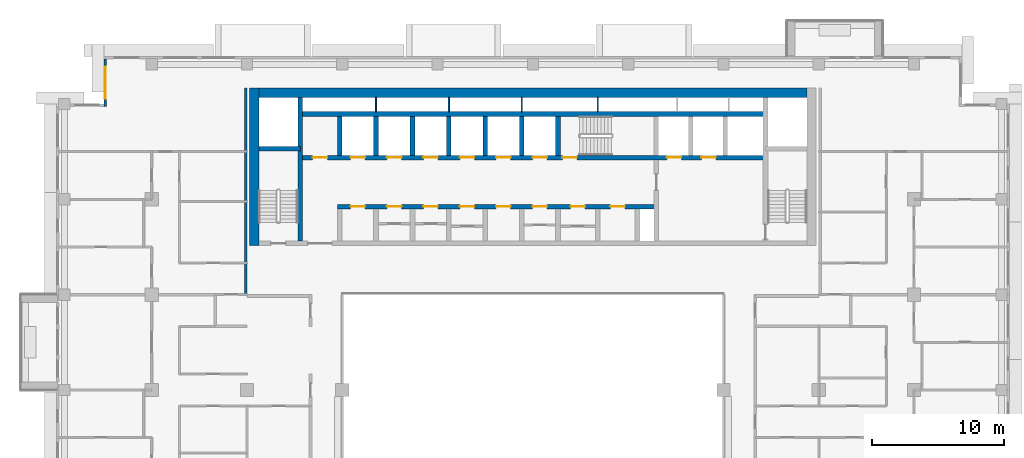
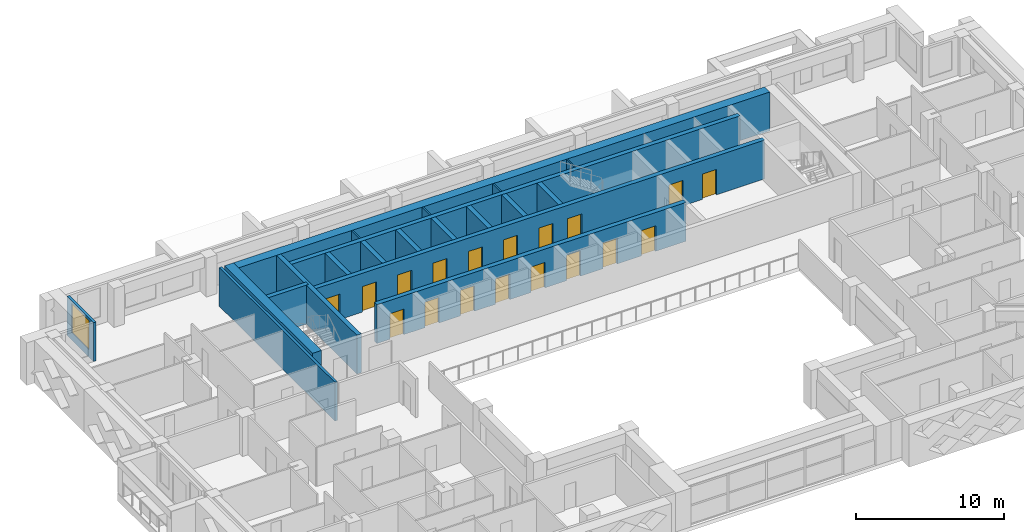
# One storey, part 10 of 20: 20 walls, 18 doors, 1 window, 19 openings.
"""IFC4 building model written with IfcOpenShell, lengths in metres."""

from ifc_helpers import new_model, si_unit, direction, frame, frame_2d, origin, place, context, subcontext, project, spatial, rectangle, extrude, material, layer, layer_set, type_object, element, fill, save


model = new_model("IFC4")

# Units and contexts
model_context = context("Model", 3, precision=1e-05, world=origin(), true_north=direction((0.0, 1.0)))
body_context = subcontext(model_context, "Body", "Model", "MODEL_VIEW")
ifc_project = project(units=[si_unit("LENGTHUNIT", "METRE"), si_unit("AREAUNIT", "SQUARE_METRE"), si_unit("VOLUMEUNIT", "CUBIC_METRE"), si_unit("PLANEANGLEUNIT", "RADIAN"), si_unit("MASSUNIT", "GRAM", prefix="KILO")], contexts=[model_context])

# Site, building, storey
site_placement = place(None, origin())
site = spatial("IfcSite", under=ifc_project, at=site_placement, CompositionType="ELEMENT")
building_placement = place(site_placement, origin())
building = spatial("IfcBuilding", under=site, at=building_placement, Name="Saffron Iwan Residences", CompositionType="ELEMENT")
storey_placement = place(building_placement, frame((0.0, 0.0, 164.0)))
storey = spatial("IfcBuildingStorey", under=building, at=storey_placement, Name="L43", CompositionType="ELEMENT", Elevation=164.0)

# Wall, opening, window
ifc_material_1 = material(Name="Concrete C40/50", Category="concrete")
ifc_layer_1 = layer(ifc_material_1, 0.199951171875)
ifc_layer_set_1 = layer_set([ifc_layer_1], Name="Concrete C40/50")
wall_type_1 = type_object("IfcWallType", Name="EXTERNAL WALL 200", PredefinedType="SOLIDWALL", material=ifc_layer_set_1)
wall_1_placement = place(storey_placement, frame((18.10009765625, 80.199951171875, 0.0), z_axis=(0.0, 0.0, 1.0), x_axis=(0.0, -1.0, 0.0)))
wall_1 = element("IfcWall", 1, at=wall_1_placement, inside=storey, type_object=wall_type_1, Name="External wall L43 F6.0", PredefinedType="SOLIDWALL", context=body_context, shape_type="SweptSolid", body=[
    extrude(rectangle(XDim=3.599853515625, YDim=0.199951171875, at=frame_2d((1.7998046875, 0.0))), origin(), (0.0, 0.0, 1.0), 3.199951171875),
])
opening_1_placement = place(wall_1_placement, frame((0.60009765625, 0.0, 0.60009765625)))
opening_1 = element("IfcOpeningElement", 2, at=opening_1_placement, cuts=wall_1, Name="Opening W1", PredefinedType="OPENING", context=body_context, shape_type="SweptSolid", body=[
    extrude(rectangle(XDim=2.39990234375, YDim=2.39990234375, at=frame_2d((1.199951171875, 1.199951171875))), frame((0.0, 0.10986328125, 0.0), z_axis=(0.0, -1.0, 0.0), x_axis=(1.0, 0.0, 0.0)), (0.0, 0.0, 1.0), 0.219970703125),
])
ifc_material_2 = material(Name="Clear glass, laminated double glazed", Category="glass")
window_type = type_object("IfcWindowType", Name="WINDOW 2400 x 2400", PartitioningType="DOUBLE_PANEL_VERTICAL", PredefinedType="WINDOW", material=ifc_material_2)
window_placement = place(opening_1_placement, origin())
window = element("IfcWindow", 3, at=window_placement, inside=storey, type_object=window_type, Name="Window L43 F6.0", OverallHeight=2.39990234375, OverallWidth=2.39990234375, PartitioningType="DOUBLE_PANEL_VERTICAL", PredefinedType="WINDOW", context=body_context, shape_type="SweptSolid", body=[
    extrude(rectangle(XDim=2.39990234375, YDim=2.39990234375, at=frame_2d((1.199951171875, 1.199951171875))), frame((0.0, 0.030029296875, 0.0), z_axis=(0.0, -1.0, 0.0), x_axis=(1.0, 0.0, 0.0)), (0.0, 0.0, 1.0), 0.06005859375),
])
fill(opening_1, window)

# Walls
ifc_material_3 = material(Name="Fire-rated gypsum board wall")
ifc_layer_2 = layer(ifc_material_3, 0.199951171875)
ifc_layer_set_2 = layer_set([ifc_layer_2], Name="Fire-rated gypsum board wall")
wall_type_2 = type_object("IfcWallType", Name="Gallery wall 200", PredefinedType="SOLIDWALL", material=ifc_layer_set_2)
wall_2_placement = place(storey_placement, frame((28.699951171875, 62.39990234375, 0.0), z_axis=(0.0, 0.0, 1.0), x_axis=(0.0, 1.0, 0.0)))
element("IfcWall", 4, at=wall_2_placement, inside=storey, type_object=wall_type_2, Name="W-L43-CORR-v28.8-62.4", PredefinedType="SOLIDWALL", context=body_context, shape_type="SweptSolid", body=[
    extrude(rectangle(XDim=15.60009765625, YDim=0.199951171875, at=frame_2d((7.800048828125, 0.0))), origin(), (0.0, 0.0, 1.0), 3.199951171875),
])
ifc_material_4 = material(Name="Fire-rated plasterboard partition")
ifc_layer_3 = layer(ifc_material_4, 0.10009765625)
ifc_layer_set_3 = layer_set([ifc_layer_3], Name="Fire-rated plasterboard partition")
wall_type_3 = type_object("IfcWallType", Name="Riser partition 100", PredefinedType="PARTITIONING", material=ifc_layer_set_3)
for number, where, z_axis, x_axis, name in (
    (5, (38.550048828125, 76.22509765625, 0.0), (0.0, 0.0, 1.0), (0.0, 1.0, 0.0), "Core partition P06"),
    (6, (44.050048828125, 76.22509765625, 0.0), (0.0, 0.0, 1.0), (0.0, 1.0, 0.0), "Core partition P07"),
    (7, (49.550048828125, 76.22509765625, 0.0), (0.0, 0.0, 1.0), (0.0, 1.0, 0.0), "Core partition P08"),
    (8, (55.300048828125, 76.22509765625, 0.0), (0.0, 0.0, 1.0), (0.0, 1.0, 0.0), "Core partition P09"),
):
    element("IfcWall", number, at=place(storey_placement, frame(where, z_axis=z_axis, x_axis=x_axis)), inside=storey, type_object=wall_type_3, Name=name, PredefinedType="PARTITIONING", context=body_context, shape_type="SweptSolid", body=[
        extrude(rectangle(XDim=1.074951171875, YDim=0.10009765625, at=frame_2d((0.53759765625, 0.0))), origin(), (0.0, 0.0, 1.0), 3.199951171875),
    ])

# Wall, openings, doors
ifc_material_5 = material(Name="Concrete C50/60", Category="concrete")
ifc_layer_4 = layer(ifc_material_5, 0.35009765625)
ifc_layer_set_4 = layer_set([ifc_layer_4], Name="Concrete C50/60")
wall_type_4 = type_object("IfcWallType", Name="WALL CORE 350 C50/60 3200 HIGH", PredefinedType="SHEAR", material=ifc_layer_set_4)
wall_3_placement = place(storey_placement, frame((35.625, 69.050048828125, 0.0), z_axis=(0.0, 0.0, 1.0), x_axis=(1.0, 0.0, 0.0)))
wall_3 = element("IfcWall", 9, at=wall_3_placement, inside=storey, type_object=wall_type_4, Name="Core wall", PredefinedType="SHEAR", context=body_context, shape_type="SweptSolid", body=[
    extrude(rectangle(XDim=24.10009765625, YDim=0.35009765625, at=frame_2d((12.050048828125, 0.0))), origin(), (0.0, 0.0, 1.0), 3.199951171875),
])
opening_2_placement = place(wall_3_placement, frame((1.0, 0.0, 0.0)))
opening_2 = element("IfcOpeningElement", 10, at=opening_2_placement, cuts=wall_3, Name="Opening SR", PredefinedType="OPENING", context=body_context, shape_type="SweptSolid", body=[
    extrude(rectangle(XDim=1.10009765625, YDim=2.10009765625, at=frame_2d((0.550048828125, 1.050048828125))), frame((0.0, 0.18505859375, 0.0), z_axis=(0.0, -1.0, 0.0), x_axis=(1.0, 0.0, 0.0)), (0.0, 0.0, 1.0), 0.3701171875),
])
opening_3_placement = place(wall_3_placement, frame((3.75, 0.0, 0.0)))
opening_3 = element("IfcOpeningElement", 11, at=opening_3_placement, cuts=wall_3, Name="Opening SR", PredefinedType="OPENING", context=body_context, shape_type="SweptSolid", body=[
    extrude(rectangle(XDim=1.10009765625, YDim=2.10009765625, at=frame_2d((0.550048828125, 1.050048828125))), frame((0.0, 0.18505859375, 0.0), z_axis=(0.0, -1.0, 0.0), x_axis=(1.0, 0.0, 0.0)), (0.0, 0.0, 1.0), 0.3701171875),
])
opening_4_placement = place(wall_3_placement, frame((6.5, 0.0, 0.0)))
opening_4 = element("IfcOpeningElement", 12, at=opening_4_placement, cuts=wall_3, Name="Opening SR", PredefinedType="OPENING", context=body_context, shape_type="SweptSolid", body=[
    extrude(rectangle(XDim=1.10009765625, YDim=2.10009765625, at=frame_2d((0.550048828125, 1.050048828125))), frame((0.0, 0.18505859375, 0.0), z_axis=(0.0, -1.0, 0.0), x_axis=(1.0, 0.0, 0.0)), (0.0, 0.0, 1.0), 0.3701171875),
])
opening_5_placement = place(wall_3_placement, frame((9.25, 0.0, 0.0)))
opening_5 = element("IfcOpeningElement", 13, at=opening_5_placement, cuts=wall_3, Name="Opening SR", PredefinedType="OPENING", context=body_context, shape_type="SweptSolid", body=[
    extrude(rectangle(XDim=1.10009765625, YDim=2.10009765625, at=frame_2d((0.550048828125, 1.050048828125))), frame((0.0, 0.18505859375, 0.0), z_axis=(0.0, -1.0, 0.0), x_axis=(1.0, 0.0, 0.0)), (0.0, 0.0, 1.0), 0.3701171875),
])
opening_6_placement = place(wall_3_placement, frame((12.0, 0.0, 0.0)))
opening_6 = element("IfcOpeningElement", 14, at=opening_6_placement, cuts=wall_3, Name="Opening SR", PredefinedType="OPENING", context=body_context, shape_type="SweptSolid", body=[
    extrude(rectangle(XDim=1.10009765625, YDim=2.10009765625, at=frame_2d((0.550048828125, 1.050048828125))), frame((0.0, 0.18505859375, 0.0), z_axis=(0.0, -1.0, 0.0), x_axis=(1.0, 0.0, 0.0)), (0.0, 0.0, 1.0), 0.3701171875),
])
opening_7_placement = place(wall_3_placement, frame((14.75, 0.0, 0.0)))
opening_7 = element("IfcOpeningElement", 15, at=opening_7_placement, cuts=wall_3, Name="Opening SR", PredefinedType="OPENING", context=body_context, shape_type="SweptSolid", body=[
    extrude(rectangle(XDim=1.10009765625, YDim=2.10009765625, at=frame_2d((0.550048828125, 1.050048828125))), frame((0.0, 0.18505859375, 0.0), z_axis=(0.0, -1.0, 0.0), x_axis=(1.0, 0.0, 0.0)), (0.0, 0.0, 1.0), 0.3701171875),
])
opening_8_placement = place(wall_3_placement, frame((17.625, 0.0, 0.0)))
opening_8 = element("IfcOpeningElement", 16, at=opening_8_placement, cuts=wall_3, Name="Opening SR", PredefinedType="OPENING", context=body_context, shape_type="SweptSolid", body=[
    extrude(rectangle(XDim=1.10009765625, YDim=2.10009765625, at=frame_2d((0.550048828125, 1.050048828125))), frame((0.0, 0.18505859375, 0.0), z_axis=(0.0, -1.0, 0.0), x_axis=(1.0, 0.0, 0.0)), (0.0, 0.0, 1.0), 0.3701171875),
])
opening_9_placement = place(wall_3_placement, frame((20.625, 0.0, 0.0)))
opening_9 = element("IfcOpeningElement", 17, at=opening_9_placement, cuts=wall_3, Name="Opening SR", PredefinedType="OPENING", context=body_context, shape_type="SweptSolid", body=[
    extrude(rectangle(XDim=1.10009765625, YDim=2.10009765625, at=frame_2d((0.550048828125, 1.050048828125))), frame((0.0, 0.18505859375, 0.0), z_axis=(0.0, -1.0, 0.0), x_axis=(1.0, 0.0, 0.0)), (0.0, 0.0, 1.0), 0.3701171875),
])
ifc_material_6 = material(Name="Steel fire door", Category="steel")
door_type_1 = type_object("IfcDoorType", Name="Service door 1100", OperationType="NOTDEFINED", PredefinedType="DOOR", material=ifc_material_6)
door_1_placement = place(opening_2_placement, origin())
door_1 = element("IfcDoor", 18, at=door_1_placement, inside=storey, type_object=door_type_1, Name="Door Cleaner's store", OperationType="SINGLE_SWING_RIGHT", OverallHeight=2.10009765625, OverallWidth=1.10009765625, PredefinedType="DOOR", context=body_context, shape_type="SweptSolid", body=[
    extrude(rectangle(XDim=1.10009765625, YDim=2.10009765625, at=frame_2d((0.550048828125, 1.050048828125))), frame((0.0, 0.02490234375, 0.0), z_axis=(0.0, -1.0, 0.0), x_axis=(1.0, 0.0, 0.0)), (0.0, 0.0, 1.0), 0.050048828125),
])
fill(opening_2, door_1)
door_2_placement = place(opening_3_placement, origin())
door_2 = element("IfcDoor", 19, at=door_2_placement, inside=storey, type_object=door_type_1, Name="Door Trolley store", OperationType="SINGLE_SWING_LEFT", OverallHeight=2.10009765625, OverallWidth=1.10009765625, PredefinedType="DOOR", context=body_context, shape_type="SweptSolid", body=[
    extrude(rectangle(XDim=1.10009765625, YDim=2.10009765625, at=frame_2d((0.550048828125, 1.050048828125))), frame((0.0, 0.02490234375, 0.0), z_axis=(0.0, -1.0, 0.0), x_axis=(1.0, 0.0, 0.0)), (0.0, 0.0, 1.0), 0.050048828125),
])
fill(opening_3, door_2)
door_3_placement = place(opening_4_placement, origin())
door_3 = element("IfcDoor", 20, at=door_3_placement, inside=storey, type_object=door_type_1, Name="Door Communications room", OperationType="SINGLE_SWING_RIGHT", OverallHeight=2.10009765625, OverallWidth=1.10009765625, PredefinedType="DOOR", context=body_context, shape_type="SweptSolid", body=[
    extrude(rectangle(XDim=1.10009765625, YDim=2.10009765625, at=frame_2d((0.550048828125, 1.050048828125))), frame((0.0, 0.02490234375, 0.0), z_axis=(0.0, -1.0, 0.0), x_axis=(1.0, 0.0, 0.0)), (0.0, 0.0, 1.0), 0.050048828125),
])
fill(opening_4, door_3)
door_4_placement = place(opening_5_placement, origin())
door_4 = element("IfcDoor", 21, at=door_4_placement, inside=storey, type_object=door_type_1, Name="Door Switch room", OperationType="SINGLE_SWING_LEFT", OverallHeight=2.10009765625, OverallWidth=1.10009765625, PredefinedType="DOOR", context=body_context, shape_type="SweptSolid", body=[
    extrude(rectangle(XDim=1.10009765625, YDim=2.10009765625, at=frame_2d((0.550048828125, 1.050048828125))), frame((0.0, 0.02490234375, 0.0), z_axis=(0.0, -1.0, 0.0), x_axis=(1.0, 0.0, 0.0)), (0.0, 0.0, 1.0), 0.050048828125),
])
fill(opening_5, door_4)
door_5_placement = place(opening_6_placement, origin())
door_5 = element("IfcDoor", 22, at=door_5_placement, inside=storey, type_object=door_type_1, Name="Door Furniture store", OperationType="SINGLE_SWING_RIGHT", OverallHeight=2.10009765625, OverallWidth=1.10009765625, PredefinedType="DOOR", context=body_context, shape_type="SweptSolid", body=[
    extrude(rectangle(XDim=1.10009765625, YDim=2.10009765625, at=frame_2d((0.550048828125, 1.050048828125))), frame((0.0, 0.02490234375, 0.0), z_axis=(0.0, -1.0, 0.0), x_axis=(1.0, 0.0, 0.0)), (0.0, 0.0, 1.0), 0.050048828125),
])
fill(opening_6, door_5)
door_6_placement = place(opening_7_placement, origin())
door_6 = element("IfcDoor", 23, at=door_6_placement, inside=storey, type_object=door_type_1, Name="Door Housekeeping store", OperationType="SINGLE_SWING_LEFT", OverallHeight=2.10009765625, OverallWidth=1.10009765625, PredefinedType="DOOR", context=body_context, shape_type="SweptSolid", body=[
    extrude(rectangle(XDim=1.10009765625, YDim=2.10009765625, at=frame_2d((0.550048828125, 1.050048828125))), frame((0.0, 0.02490234375, 0.0), z_axis=(0.0, -1.0, 0.0), x_axis=(1.0, 0.0, 0.0)), (0.0, 0.0, 1.0), 0.050048828125),
])
fill(opening_7, door_6)
door_7_placement = place(opening_8_placement, origin())
door_7 = element("IfcDoor", 24, at=door_7_placement, inside=storey, type_object=door_type_1, Name="Door Pantry", OperationType="SINGLE_SWING_RIGHT", OverallHeight=2.10009765625, OverallWidth=1.10009765625, PredefinedType="DOOR", context=body_context, shape_type="SweptSolid", body=[
    extrude(rectangle(XDim=1.10009765625, YDim=2.10009765625, at=frame_2d((0.550048828125, 1.050048828125))), frame((0.0, 0.02490234375, 0.0), z_axis=(0.0, -1.0, 0.0), x_axis=(1.0, 0.0, 0.0)), (0.0, 0.0, 1.0), 0.050048828125),
])
fill(opening_8, door_7)
door_8_placement = place(opening_9_placement, origin())
door_8 = element("IfcDoor", 25, at=door_8_placement, inside=storey, type_object=door_type_1, Name="Door Electrical room", OperationType="SINGLE_SWING_RIGHT", OverallHeight=2.10009765625, OverallWidth=1.10009765625, PredefinedType="DOOR", context=body_context, shape_type="SweptSolid", body=[
    extrude(rectangle(XDim=1.10009765625, YDim=2.10009765625, at=frame_2d((0.550048828125, 1.050048828125))), frame((0.0, 0.02490234375, 0.0), z_axis=(0.0, -1.0, 0.0), x_axis=(1.0, 0.0, 0.0)), (0.0, 0.0, 1.0), 0.050048828125),
])
fill(opening_9, door_8)

wall_4_placement = place(storey_placement, frame((32.824951171875, 72.75, 0.0), z_axis=(0.0, 0.0, 1.0), x_axis=(1.0, 0.0, 0.0)))
wall_4 = element("IfcWall", 26, at=wall_4_placement, inside=storey, type_object=wall_type_4, Name="Core wall", PredefinedType="SHEAR", context=body_context, shape_type="SweptSolid", body=[
    extrude(rectangle(XDim=35.150146484375, YDim=0.35009765625, at=frame_2d((17.5751953125, 0.0))), origin(), (0.0, 0.0, 1.0), 3.199951171875),
])
opening_10_placement = place(wall_4_placement, frame((19.800048828125, 0.0, 0.0)))
opening_10 = element("IfcOpeningElement", 27, at=opening_10_placement, cuts=wall_4, Name="Opening SD", PredefinedType="OPENING", context=body_context, shape_type="SweptSolid", body=[
    extrude(rectangle(XDim=1.10009765625, YDim=2.10009765625, at=frame_2d((0.550048828125, 1.050048828125))), frame((0.0, 0.18505859375, 0.0), z_axis=(0.0, -1.0, 0.0), x_axis=(1.0, 0.0, 0.0)), (0.0, 0.0, 1.0), 0.3701171875),
])
opening_11_placement = place(wall_4_placement, frame((27.699951171875, 0.0, 0.0)))
opening_11 = element("IfcOpeningElement", 28, at=opening_11_placement, cuts=wall_4, Name="Opening LD", PredefinedType="OPENING", context=body_context, shape_type="SweptSolid", body=[
    extrude(rectangle(XDim=1.10009765625, YDim=2.10009765625, at=frame_2d((0.550048828125, 1.050048828125))), frame((0.0, 0.18505859375, 0.0), z_axis=(0.0, -1.0, 0.0), x_axis=(1.0, 0.0, 0.0)), (0.0, 0.0, 1.0), 0.3701171875),
])
opening_12_placement = place(wall_4_placement, frame((30.300048828125, 0.0, 0.0)))
opening_12 = element("IfcOpeningElement", 29, at=opening_12_placement, cuts=wall_4, Name="Opening LD", PredefinedType="OPENING", context=body_context, shape_type="SweptSolid", body=[
    extrude(rectangle(XDim=1.10009765625, YDim=2.10009765625, at=frame_2d((0.550048828125, 1.050048828125))), frame((0.0, 0.18505859375, 0.0), z_axis=(0.0, -1.0, 0.0), x_axis=(1.0, 0.0, 0.0)), (0.0, 0.0, 1.0), 0.3701171875),
])
opening_13_placement = place(wall_4_placement, frame((3.800048828125, 0.0, 0.0)))
opening_13 = element("IfcOpeningElement", 30, at=opening_13_placement, cuts=wall_4, Name="Opening LD", PredefinedType="OPENING", context=body_context, shape_type="SweptSolid", body=[
    extrude(rectangle(XDim=1.10009765625, YDim=2.10009765625, at=frame_2d((0.550048828125, 1.050048828125))), frame((0.0, 0.18505859375, 0.0), z_axis=(0.0, -1.0, 0.0), x_axis=(1.0, 0.0, 0.0)), (0.0, 0.0, 1.0), 0.3701171875),
])
opening_14_placement = place(wall_4_placement, frame((6.550048828125, 0.0, 0.0)))
opening_14 = element("IfcOpeningElement", 31, at=opening_14_placement, cuts=wall_4, Name="Opening LD", PredefinedType="OPENING", context=body_context, shape_type="SweptSolid", body=[
    extrude(rectangle(XDim=1.10009765625, YDim=2.10009765625, at=frame_2d((0.550048828125, 1.050048828125))), frame((0.0, 0.18505859375, 0.0), z_axis=(0.0, -1.0, 0.0), x_axis=(1.0, 0.0, 0.0)), (0.0, 0.0, 1.0), 0.3701171875),
])
opening_15_placement = place(wall_4_placement, frame((9.300048828125, 0.0, 0.0)))
opening_15 = element("IfcOpeningElement", 32, at=opening_15_placement, cuts=wall_4, Name="Opening LD", PredefinedType="OPENING", context=body_context, shape_type="SweptSolid", body=[
    extrude(rectangle(XDim=1.10009765625, YDim=2.10009765625, at=frame_2d((0.550048828125, 1.050048828125))), frame((0.0, 0.18505859375, 0.0), z_axis=(0.0, -1.0, 0.0), x_axis=(1.0, 0.0, 0.0)), (0.0, 0.0, 1.0), 0.3701171875),
])
opening_16_placement = place(wall_4_placement, frame((12.050048828125, 0.0, 0.0)))
opening_16 = element("IfcOpeningElement", 33, at=opening_16_placement, cuts=wall_4, Name="Opening LD", PredefinedType="OPENING", context=body_context, shape_type="SweptSolid", body=[
    extrude(rectangle(XDim=1.10009765625, YDim=2.10009765625, at=frame_2d((0.550048828125, 1.050048828125))), frame((0.0, 0.18505859375, 0.0), z_axis=(0.0, -1.0, 0.0), x_axis=(1.0, 0.0, 0.0)), (0.0, 0.0, 1.0), 0.3701171875),
])
opening_17_placement = place(wall_4_placement, frame((14.800048828125, 0.0, 0.0)))
opening_17 = element("IfcOpeningElement", 34, at=opening_17_placement, cuts=wall_4, Name="Opening LD", PredefinedType="OPENING", context=body_context, shape_type="SweptSolid", body=[
    extrude(rectangle(XDim=1.10009765625, YDim=2.10009765625, at=frame_2d((0.550048828125, 1.050048828125))), frame((0.0, 0.18505859375, 0.0), z_axis=(0.0, -1.0, 0.0), x_axis=(1.0, 0.0, 0.0)), (0.0, 0.0, 1.0), 0.3701171875),
])
opening_18_placement = place(wall_4_placement, frame((17.550048828125, 0.0, 0.0)))
opening_18 = element("IfcOpeningElement", 35, at=opening_18_placement, cuts=wall_4, Name="Opening LD", PredefinedType="OPENING", context=body_context, shape_type="SweptSolid", body=[
    extrude(rectangle(XDim=1.10009765625, YDim=2.10009765625, at=frame_2d((0.550048828125, 1.050048828125))), frame((0.0, 0.18505859375, 0.0), z_axis=(0.0, -1.0, 0.0), x_axis=(1.0, 0.0, 0.0)), (0.0, 0.0, 1.0), 0.3701171875),
])
opening_19_placement = place(wall_4_placement, frame((0.9375, 0.0, 0.0)))
opening_19 = element("IfcOpeningElement", 36, at=opening_19_placement, cuts=wall_4, Name="Opening SR", PredefinedType="OPENING", context=body_context, shape_type="SweptSolid", body=[
    extrude(rectangle(XDim=1.10009765625, YDim=2.10009765625, at=frame_2d((0.550048828125, 1.050048828125))), frame((0.0, 0.18505859375, 0.0), z_axis=(0.0, -1.0, 0.0), x_axis=(1.0, 0.0, 0.0)), (0.0, 0.0, 1.0), 0.3701171875),
])
door_type_2 = type_object("IfcDoorType", Name="Lift landing door 1100", OperationType="SLIDING_TO_LEFT", PredefinedType="DOOR", material=ifc_material_6)
door_9_placement = place(opening_11_placement, origin())
door_9 = element("IfcDoor", 37, at=door_9_placement, inside=storey, type_object=door_type_2, Name="Landing doors FF1", OperationType="SLIDING_TO_LEFT", OverallHeight=2.10009765625, OverallWidth=1.10009765625, PredefinedType="DOOR", context=body_context, shape_type="SweptSolid", body=[
    extrude(rectangle(XDim=1.10009765625, YDim=2.10009765625, at=frame_2d((0.550048828125, 1.050048828125))), frame((0.0, 0.02490234375, 0.0), z_axis=(0.0, -1.0, 0.0), x_axis=(1.0, 0.0, 0.0)), (0.0, 0.0, 1.0), 0.050048828125),
])
fill(opening_11, door_9)
door_10_placement = place(opening_12_placement, origin())
door_10 = element("IfcDoor", 38, at=door_10_placement, inside=storey, type_object=door_type_2, Name="Landing doors FF2", OperationType="SLIDING_TO_LEFT", OverallHeight=2.10009765625, OverallWidth=1.10009765625, PredefinedType="DOOR", context=body_context, shape_type="SweptSolid", body=[
    extrude(rectangle(XDim=1.10009765625, YDim=2.10009765625, at=frame_2d((0.550048828125, 1.050048828125))), frame((0.0, 0.02490234375, 0.0), z_axis=(0.0, -1.0, 0.0), x_axis=(1.0, 0.0, 0.0)), (0.0, 0.0, 1.0), 0.050048828125),
])
fill(opening_12, door_10)
door_11_placement = place(opening_13_placement, origin())
door_11 = element("IfcDoor", 39, at=door_11_placement, inside=storey, type_object=door_type_2, Name="Landing doors HR1", OperationType="SLIDING_TO_LEFT", OverallHeight=2.10009765625, OverallWidth=1.10009765625, PredefinedType="DOOR", context=body_context, shape_type="SweptSolid", body=[
    extrude(rectangle(XDim=1.10009765625, YDim=2.10009765625, at=frame_2d((0.550048828125, 1.050048828125))), frame((0.0, 0.02490234375, 0.0), z_axis=(0.0, -1.0, 0.0), x_axis=(1.0, 0.0, 0.0)), (0.0, 0.0, 1.0), 0.050048828125),
])
fill(opening_13, door_11)
door_12_placement = place(opening_14_placement, origin())
door_12 = element("IfcDoor", 40, at=door_12_placement, inside=storey, type_object=door_type_2, Name="Landing doors HR2", OperationType="SLIDING_TO_LEFT", OverallHeight=2.10009765625, OverallWidth=1.10009765625, PredefinedType="DOOR", context=body_context, shape_type="SweptSolid", body=[
    extrude(rectangle(XDim=1.10009765625, YDim=2.10009765625, at=frame_2d((0.550048828125, 1.050048828125))), frame((0.0, 0.02490234375, 0.0), z_axis=(0.0, -1.0, 0.0), x_axis=(1.0, 0.0, 0.0)), (0.0, 0.0, 1.0), 0.050048828125),
])
fill(opening_14, door_12)
door_13_placement = place(opening_15_placement, origin())
door_13 = element("IfcDoor", 41, at=door_13_placement, inside=storey, type_object=door_type_2, Name="Landing doors HR3", OperationType="SLIDING_TO_LEFT", OverallHeight=2.10009765625, OverallWidth=1.10009765625, PredefinedType="DOOR", context=body_context, shape_type="SweptSolid", body=[
    extrude(rectangle(XDim=1.10009765625, YDim=2.10009765625, at=frame_2d((0.550048828125, 1.050048828125))), frame((0.0, 0.02490234375, 0.0), z_axis=(0.0, -1.0, 0.0), x_axis=(1.0, 0.0, 0.0)), (0.0, 0.0, 1.0), 0.050048828125),
])
fill(opening_15, door_13)
door_14_placement = place(opening_16_placement, origin())
door_14 = element("IfcDoor", 42, at=door_14_placement, inside=storey, type_object=door_type_2, Name="Landing doors HR4", OperationType="SLIDING_TO_LEFT", OverallHeight=2.10009765625, OverallWidth=1.10009765625, PredefinedType="DOOR", context=body_context, shape_type="SweptSolid", body=[
    extrude(rectangle(XDim=1.10009765625, YDim=2.10009765625, at=frame_2d((0.550048828125, 1.050048828125))), frame((0.0, 0.02490234375, 0.0), z_axis=(0.0, -1.0, 0.0), x_axis=(1.0, 0.0, 0.0)), (0.0, 0.0, 1.0), 0.050048828125),
])
fill(opening_16, door_14)
door_15_placement = place(opening_17_placement, origin())
door_15 = element("IfcDoor", 43, at=door_15_placement, inside=storey, type_object=door_type_2, Name="Landing doors HR5", OperationType="SLIDING_TO_LEFT", OverallHeight=2.10009765625, OverallWidth=1.10009765625, PredefinedType="DOOR", context=body_context, shape_type="SweptSolid", body=[
    extrude(rectangle(XDim=1.10009765625, YDim=2.10009765625, at=frame_2d((0.550048828125, 1.050048828125))), frame((0.0, 0.02490234375, 0.0), z_axis=(0.0, -1.0, 0.0), x_axis=(1.0, 0.0, 0.0)), (0.0, 0.0, 1.0), 0.050048828125),
])
fill(opening_17, door_15)
door_16_placement = place(opening_18_placement, origin())
door_16 = element("IfcDoor", 44, at=door_16_placement, inside=storey, type_object=door_type_2, Name="Landing doors HR6", OperationType="SLIDING_TO_LEFT", OverallHeight=2.10009765625, OverallWidth=1.10009765625, PredefinedType="DOOR", context=body_context, shape_type="SweptSolid", body=[
    extrude(rectangle(XDim=1.10009765625, YDim=2.10009765625, at=frame_2d((0.550048828125, 1.050048828125))), frame((0.0, 0.02490234375, 0.0), z_axis=(0.0, -1.0, 0.0), x_axis=(1.0, 0.0, 0.0)), (0.0, 0.0, 1.0), 0.050048828125),
])
fill(opening_18, door_16)
door_17_placement = place(opening_19_placement, origin())
door_17 = element("IfcDoor", 45, at=door_17_placement, inside=storey, type_object=door_type_1, Name="Door Storage room", OperationType="SINGLE_SWING_LEFT", OverallHeight=2.10009765625, OverallWidth=1.10009765625, PredefinedType="DOOR", context=body_context, shape_type="SweptSolid", body=[
    extrude(rectangle(XDim=1.10009765625, YDim=2.10009765625, at=frame_2d((0.550048828125, 1.050048828125))), frame((0.0, 0.02490234375, 0.0), z_axis=(0.0, -1.0, 0.0), x_axis=(1.0, 0.0, 0.0)), (0.0, 0.0, 1.0), 0.050048828125),
])
fill(opening_19, door_17)
door_type_3 = type_object("IfcDoorType", Name="Stair door 1100", OperationType="NOTDEFINED", PredefinedType="DOOR", material=ifc_material_6)
door_18_placement = place(opening_10_placement, origin())
door_18 = element("IfcDoor", 46, at=door_18_placement, inside=storey, type_object=door_type_3, Name="Stair door ST-C", OperationType="SINGLE_SWING_LEFT", OverallHeight=2.10009765625, OverallWidth=1.10009765625, PredefinedType="DOOR", context=body_context, shape_type="SweptSolid", body=[
    extrude(rectangle(XDim=1.10009765625, YDim=2.10009765625, at=frame_2d((0.550048828125, 1.050048828125))), frame((0.0, 0.02490234375, 0.0), z_axis=(0.0, -1.0, 0.0), x_axis=(1.0, 0.0, 0.0)), (0.0, 0.0, 1.0), 0.050048828125),
])
fill(opening_10, door_18)

# Walls
wall_5_placement = place(storey_placement, frame((32.824951171875, 76.050048828125, 0.0), z_axis=(0.0, 0.0, 1.0), x_axis=(1.0, 0.0, 0.0)))
element("IfcWall", 47, at=wall_5_placement, inside=storey, type_object=wall_type_4, Name="Core wall", PredefinedType="SHEAR", context=body_context, shape_type="SweptSolid", body=[
    extrude(rectangle(XDim=35.150146484375, YDim=0.35009765625, at=frame_2d((17.5751953125, 0.0))), origin(), (0.0, 0.0, 1.0), 3.199951171875),
])
wall_6_placement = place(storey_placement, frame((29.699951171875, 73.425048828125, 0.0), z_axis=(0.0, 0.0, 1.0), x_axis=(1.0, 0.0, 0.0)))
element("IfcWall", 48, at=wall_6_placement, inside=storey, type_object=wall_type_4, Name="Core wall", PredefinedType="SHEAR", context=body_context, shape_type="SweptSolid", body=[
    extrude(rectangle(XDim=3.125, YDim=0.35009765625, at=frame_2d((1.5625, 0.0))), origin(), (0.0, 0.0, 1.0), 3.199951171875),
])
wall_7_placement = place(storey_placement, frame((32.824951171875, 66.449951171875, 0.0), z_axis=(0.0, 0.0, 1.0), x_axis=(0.0, 1.0, 0.0)))
element("IfcWall", 49, at=wall_7_placement, inside=storey, type_object=wall_type_4, Name="Core wall", PredefinedType="SHEAR", context=body_context, shape_type="SweptSolid", body=[
    extrude(rectangle(XDim=10.85009765625, YDim=0.35009765625, at=frame_2d((5.425048828125, 0.0))), origin(), (0.0, 0.0, 1.0), 3.199951171875),
])
for number, where, z_axis, x_axis, name in (
    (50, (35.800048828125, 72.925048828125, 0.0), (0.0, 0.0, 1.0), (0.0, 1.0, 0.0), "Core wall"),
    (51, (38.550048828125, 72.925048828125, 0.0), (0.0, 0.0, 1.0), (0.0, 1.0, 0.0), "Core wall"),
    (52, (41.300048828125, 72.925048828125, 0.0), (0.0, 0.0, 1.0), (0.0, 1.0, 0.0), "Core wall"),
    (53, (44.050048828125, 72.925048828125, 0.0), (0.0, 0.0, 1.0), (0.0, 1.0, 0.0), "Core wall"),
    (54, (46.800048828125, 72.925048828125, 0.0), (0.0, 0.0, 1.0), (0.0, 1.0, 0.0), "Core wall"),
    (55, (49.550048828125, 72.925048828125, 0.0), (0.0, 0.0, 1.0), (0.0, 1.0, 0.0), "Core wall"),
    (56, (52.300048828125, 72.925048828125, 0.0), (0.0, 0.0, 1.0), (0.0, 1.0, 0.0), "Core wall"),
):
    element("IfcWall", number, at=place(storey_placement, frame(where, z_axis=z_axis, x_axis=x_axis)), inside=storey, type_object=wall_type_4, Name=name, PredefinedType="SHEAR", context=body_context, shape_type="SweptSolid", body=[
        extrude(rectangle(XDim=2.949951171875, YDim=0.35009765625, at=frame_2d((1.47509765625, 0.0))), origin(), (0.0, 0.0, 1.0), 3.199951171875),
    ])
ifc_layer_5 = layer(ifc_material_5, 0.699951171875)
ifc_layer_set_5 = layer_set([ifc_layer_5], Name="Concrete C50/60")
wall_type_5 = type_object("IfcWallType", Name="WALL CORE 700 C50/60 3200 HIGH", PredefinedType="SHEAR", material=ifc_layer_set_5)
wall_8_placement = place(storey_placement, frame((29.35009765625, 66.10009765625, 0.0), z_axis=(0.0, 0.0, 1.0), x_axis=(0.0, 1.0, 0.0)))
element("IfcWall", 57, at=wall_8_placement, inside=storey, type_object=wall_type_5, Name="Core wall", PredefinedType="SHEAR", context=body_context, shape_type="SweptSolid", body=[
    extrude(rectangle(XDim=11.89990234375, YDim=0.699951171875, at=frame_2d((5.949951171875, 0.0))), origin(), (0.0, 0.0, 1.0), 3.199951171875),
])
wall_9_placement = place(storey_placement, frame((29.699951171875, 77.64990234375, 0.0), z_axis=(0.0, 0.0, 1.0), x_axis=(1.0, 0.0, 0.0)))
element("IfcWall", 58, at=wall_9_placement, inside=storey, type_object=wall_type_5, Name="Core wall", PredefinedType="SHEAR", context=body_context, shape_type="SweptSolid", body=[
    extrude(rectangle(XDim=41.400146484375, YDim=0.699951171875, at=frame_2d((20.7001953125, 0.0))), origin(), (0.0, 0.0, 1.0), 3.199951171875),
])

save(model, "model.ifc")
